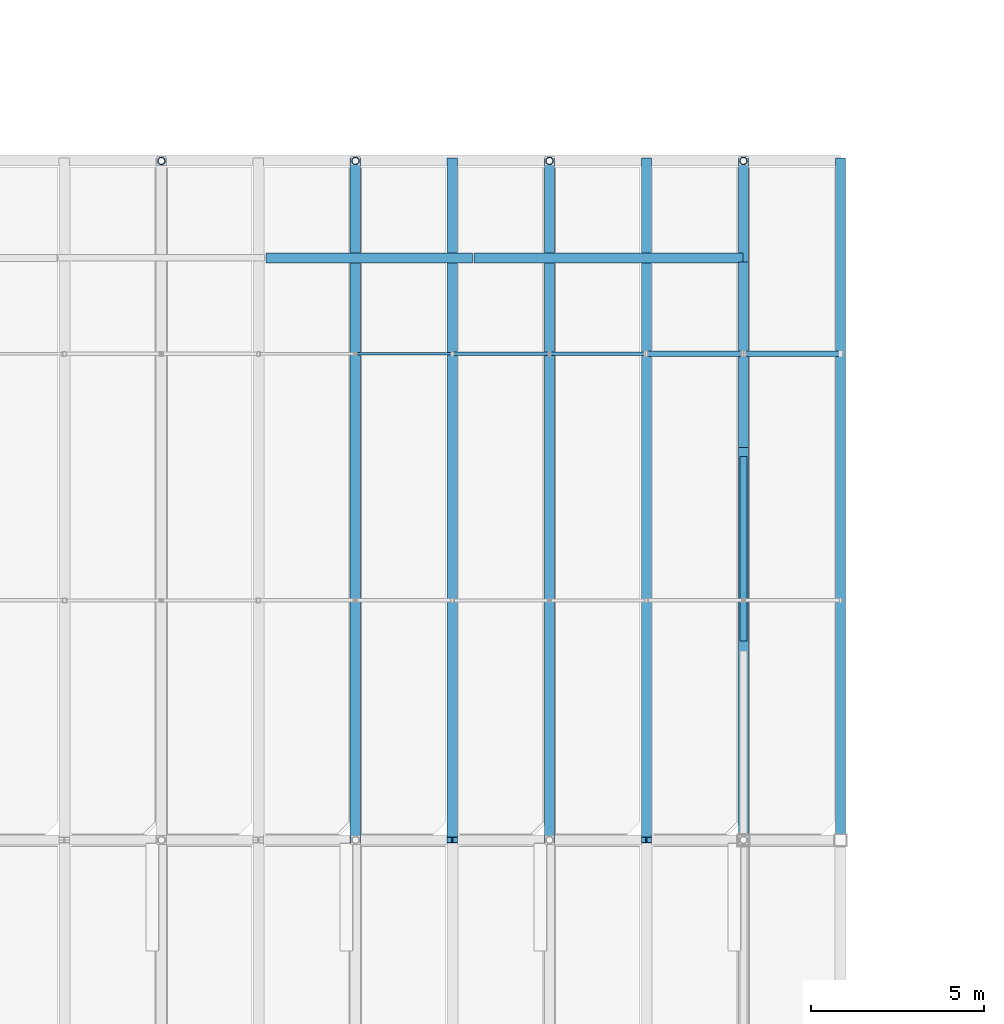
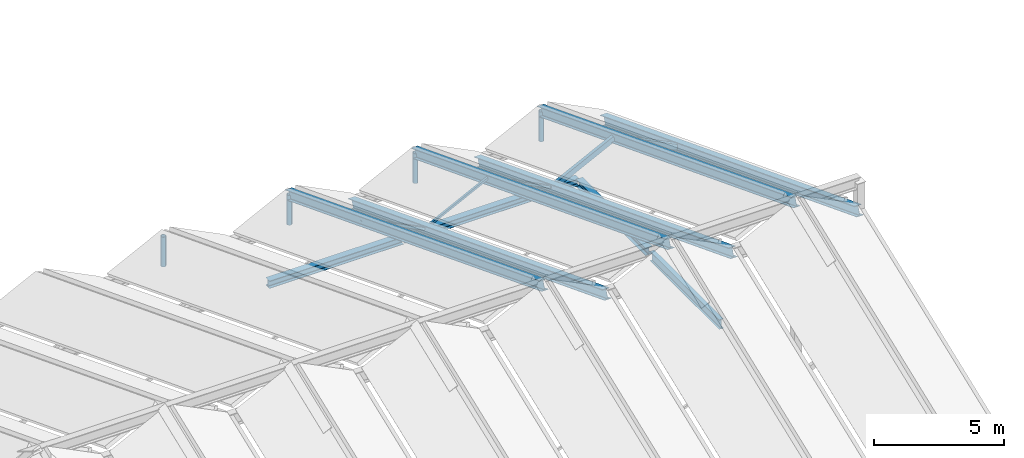
# One storey, part 23 of 49: 10 beams, 9 members.
"""IFC4 building model written with IfcOpenShell, lengths in metres."""

from ifc_helpers import new_model, si_unit, direction, frame, origin, origin_2d, place, context, subcontext, project, spatial, hollow_rectangle, hollow_circle, i_section, extrude, material, material_profile, profile_set, type_object, element, save


model = new_model("IFC4")

# Units and contexts
model_context = context("Model", 3, precision=1e-05, world=origin(), true_north=direction((0.0, 1.0)))
body_context = subcontext(model_context, "Body", "Model", "MODEL_VIEW")
ifc_project = project(units=[si_unit("LENGTHUNIT", "METRE"), si_unit("AREAUNIT", "SQUARE_METRE"), si_unit("VOLUMEUNIT", "CUBIC_METRE"), si_unit("PLANEANGLEUNIT", "RADIAN"), si_unit("MASSUNIT", "GRAM", prefix="KILO")], contexts=[model_context])

# Site, building, storey
site_placement = place(None, origin())
site = spatial("IfcSite", under=ifc_project, at=site_placement, CompositionType="ELEMENT")
building_placement = place(site_placement, origin())
building = spatial("IfcBuilding", under=site, at=building_placement, Name="Vinh Khe Railworks Police Headquarters", CompositionType="ELEMENT")
storey_placement = place(building_placement, frame((0.0, 0.0, 17.10009765625)))
storey = spatial("IfcBuildingStorey", under=building, at=storey_placement, Name="L04", CompositionType="ELEMENT", Elevation=17.10009765625)

# Members
ifc_material = material(Name="Steel S355JR", Category="steel")
ifc_material_profile_1 = material_profile(ifc_material, hollow_rectangle(XDim=0.080078125, YDim=0.1201171875, WallThickness=0.00634765625, at=origin_2d()), Name="RHS 120x80x6.3")
ifc_profile_set_1 = profile_set([ifc_material_profile_1], Name="Steel S355JR")
member_type_1 = type_object("IfcMemberType", Name="Roof Purlin RHS 120x80x6.3", PredefinedType="PURLIN", material=ifc_profile_set_1)
member_1_placement = place(storey_placement, frame((48.800048828125, 56.03271484375, 3.37744140625), z_axis=(0.894442788028, 0.0, -0.447182400083), x_axis=(0.0, 1.0, 0.0)))
element("IfcMember", 1, at=member_1_placement, inside=storey, type_object=member_type_1, Name="Folded Roof Purlin 040", PredefinedType="PURLIN", context=body_context, shape_type="SweptSolid", body=[
    extrude(hollow_rectangle(XDim=0.080078125, YDim=0.1201171875, WallThickness=0.00634765625, at=origin_2d()), origin(), (0.0, 0.0, 1.0), 3.130615234375),
])
ifc_material_profile_2 = material_profile(ifc_material, hollow_rectangle(XDim=0.14990234375, YDim=0.25, WallThickness=0.010009765625, at=origin_2d()), Name="RHS 250x150x10")
ifc_profile_set_2 = profile_set([ifc_material_profile_2], Name="Steel S355JR")
member_type_2 = type_object("IfcMemberType", Name="Roof Purlin RHS 250x150x10", PredefinedType="PURLIN", material=ifc_profile_set_2)
for number, where, z_axis, x_axis, name in (
    (2, (57.199951171875, 56.03271484375, 1.912353515625), (0.894411593428, 0.0, 0.447244789285), (0.0, 1.0, 0.0), "Folded Roof Purlin 052"),
    (3, (60.0, 56.03271484375, 3.3125), (0.894411593428, 0.0, -0.447244789285), (0.0, 1.0, 0.0), "Folded Roof Purlin 056"),
):
    element("IfcMember", number, at=place(storey_placement, frame(where, z_axis=z_axis, x_axis=x_axis)), inside=storey, type_object=member_type_2, Name=name, PredefinedType="PURLIN", context=body_context, shape_type="SweptSolid", body=[
        extrude(hollow_rectangle(XDim=0.14990234375, YDim=0.25, WallThickness=0.010009765625, at=origin_2d()), origin(), (0.0, 0.0, 1.0), 3.130615234375),
    ])
ifc_material_profile_3 = material_profile(ifc_material, hollow_rectangle(XDim=0.10009765625, YDim=0.10009765625, WallThickness=0.00634765625, at=origin_2d()), Name="SHS 100x100x6.3")
ifc_profile_set_3 = profile_set([ifc_material_profile_3], Name="Steel S355JR")
member_type_3 = type_object("IfcMemberType", Name="Roof Purlin SHS 100x100x6.3", PredefinedType="PURLIN", material=ifc_profile_set_3)
member_2_placement = place(storey_placement, frame((51.60009765625, 56.03271484375, 1.987548828125), z_axis=(0.894427191, 0.0, 0.4472135955), x_axis=(0.0, 1.0, 0.0)))
element("IfcMember", 4, at=member_2_placement, inside=storey, type_object=member_type_3, Name="Folded Roof Purlin 044", PredefinedType="PURLIN", context=body_context, shape_type="SweptSolid", body=[
    extrude(hollow_rectangle(XDim=0.10009765625, YDim=0.10009765625, WallThickness=0.00634765625, at=origin_2d()), origin(), (0.0, 0.0, 1.0), 3.13037109375),
])
member_3_placement = place(storey_placement, frame((54.39990234375, 56.03271484375, 3.387451171875), z_axis=(0.894442788028, 0.0, -0.447182400083), x_axis=(0.0, 1.0, 0.0)))
element("IfcMember", 5, at=member_3_placement, inside=storey, type_object=member_type_3, Name="Folded Roof Purlin 048", PredefinedType="PURLIN", context=body_context, shape_type="SweptSolid", body=[
    extrude(hollow_rectangle(XDim=0.10009765625, YDim=0.10009765625, WallThickness=0.00634765625, at=origin_2d()), origin(), (0.0, 0.0, 1.0), 3.130615234375),
])
ifc_material_profile_4 = material_profile(ifc_material, hollow_circle(Radius=0.109619140625, WallThickness=0.012451171875, at=origin_2d()), Name="CHS 219.1x12.5")
ifc_profile_set_4 = profile_set([ifc_material_profile_4], Name="Steel S355JR")
member_type_4 = type_object("IfcMemberType", Name="Roof Strut CHS 219.1x12.5", PredefinedType="STRUT", material=ifc_profile_set_4)
for number, where, z_axis, x_axis, name in (
    (6, (43.199951171875, 61.60009765625, -0.191162109375), (0.0, 0.0, 1.0), (1.0, 0.0, 0.0), "Folded Roof Strut 4N"),
    (7, (48.800048828125, 61.60009765625, -0.191162109375), (0.0, 0.0, 1.0), (1.0, 0.0, 0.0), "Folded Roof Strut 5N"),
    (8, (54.39990234375, 61.60009765625, -0.191162109375), (0.0, 0.0, 1.0), (1.0, 0.0, 0.0), "Folded Roof Strut 6N"),
    (9, (60.0, 61.60009765625, -0.191162109375), (0.0, 0.0, 1.0), (1.0, 0.0, 0.0), "Folded Roof Strut 7N"),
):
    element("IfcMember", number, at=place(storey_placement, frame(where, z_axis=z_axis, x_axis=x_axis)), inside=storey, type_object=member_type_4, Name=name, PredefinedType="STRUT", context=body_context, shape_type="SweptSolid", body=[
        extrude(hollow_circle(Radius=0.109619140625, WallThickness=0.012451171875, at=origin_2d()), origin(), (0.0, 0.0, 1.0), 1.39990234375),
    ])

# Beams
ifc_material_profile_5 = material_profile(ifc_material, i_section(OverallWidth=0.300048828125, OverallDepth=0.330078125, WebThickness=0.009521484375, FlangeThickness=0.0166015625, FilletRadius=0.027099609375, at=origin_2d()), Name="HEA 340")
ifc_profile_set_5 = profile_set([ifc_material_profile_5], Name="Steel S355JR")
beam_type_1 = type_object("IfcBeamType", Name="Steel Girder HEA 340", PredefinedType="BEAM", material=ifc_profile_set_5)
beam_1_placement = place(storey_placement, frame((52.219970703125, 58.800048828125, -0.364990234375), z_axis=(1.0, 0.0, 0.0), x_axis=(0.0, 1.0, 0.0)))
element("IfcBeam", 10, at=beam_1_placement, inside=storey, type_object=beam_type_1, Name="Girder BM-L04-EW-SB-16-1316", PredefinedType="BEAM", context=body_context, shape_type="SweptSolid", body=[
    extrude(i_section(OverallWidth=0.300048828125, OverallDepth=0.330078125, WebThickness=0.009521484375, FlangeThickness=0.0166015625, FilletRadius=0.027099609375, at=origin_2d()), origin(), (0.0, 0.0, 1.0), 7.760009765625),
])
ifc_material_profile_6 = material_profile(ifc_material, i_section(OverallWidth=0.300048828125, OverallDepth=0.35009765625, WebThickness=0.010009765625, FlangeThickness=0.017578125, FilletRadius=0.027099609375, at=origin_2d()), Name="HEA 360")
ifc_profile_set_6 = profile_set([ifc_material_profile_6], Name="Steel S355JR")
beam_type_2 = type_object("IfcBeamType", Name="Steel Girder HEA 360", PredefinedType="BEAM", material=ifc_profile_set_6)
beam_2_placement = place(storey_placement, frame((46.219970703125, 58.800048828125, -0.375), z_axis=(1.0, 0.0, 0.0), x_axis=(0.0, 1.0, 0.0)))
element("IfcBeam", 11, at=beam_2_placement, inside=storey, type_object=beam_type_2, Name="Girder BM-L04-EW-SB-15-1315", PredefinedType="BEAM", context=body_context, shape_type="SweptSolid", body=[
    extrude(i_section(OverallWidth=0.300048828125, OverallDepth=0.35009765625, WebThickness=0.010009765625, FlangeThickness=0.017578125, FilletRadius=0.027099609375, at=origin_2d()), origin(), (0.0, 0.0, 1.0), 5.9599609375),
])
beam_3_placement = place(storey_placement, frame((60.0, 53.324951171875, -0.375), z_axis=(0.0, 1.0, 0.0), x_axis=(-1.0, 0.0, 0.0)))
element("IfcBeam", 12, at=beam_3_placement, inside=storey, type_object=beam_type_2, Name="Girder BM-L04-NS-SB-15-1447", PredefinedType="BEAM", context=body_context, shape_type="SweptSolid", body=[
    extrude(i_section(OverallWidth=0.300048828125, OverallDepth=0.35009765625, WebThickness=0.010009765625, FlangeThickness=0.017578125, FilletRadius=0.027099609375, at=origin_2d()), origin(), (0.0, 0.0, 1.0), 5.360107421875),
])
ifc_material_profile_7 = material_profile(ifc_material, i_section(OverallWidth=0.300048828125, OverallDepth=0.43994140625, WebThickness=0.011474609375, FlangeThickness=0.02099609375, FilletRadius=0.027099609375, at=origin_2d()), Name="HEA 450")
ifc_profile_set_7 = profile_set([ifc_material_profile_7], Name="Steel S355JR")
beam_type_3 = type_object("IfcBeamType", Name="Steel Girder HEA 450", PredefinedType="BEAM", material=ifc_profile_set_7)
for number, where, z_axis, x_axis, name in (
    (13, (48.800048828125, 61.60009765625, 1.208740234375), (0.0, -0.93236035026, 0.361530326893), (1.0, 0.0, 0.0), "Folded Roof Ridge Girder 020 (N)"),
    (14, (54.39990234375, 61.60009765625, 1.208740234375), (0.0, -0.93236035026, 0.361530326893), (1.0, 0.0, 0.0), "Folded Roof Ridge Girder 024 (N)"),
    (15, (60.0, 61.60009765625, 1.208740234375), (0.0, -0.93236035026, 0.361530326893), (1.0, 0.0, 0.0), "Folded Roof Ridge Girder 028 (N)"),
):
    element("IfcBeam", number, at=place(storey_placement, frame(where, z_axis=z_axis, x_axis=x_axis)), inside=storey, type_object=beam_type_3, Name=name, PredefinedType="BEAM", context=body_context, shape_type="SweptSolid", body=[
        extrude(i_section(OverallWidth=0.300048828125, OverallDepth=0.43994140625, WebThickness=0.011474609375, FlangeThickness=0.02099609375, FilletRadius=0.027099609375, at=origin_2d()), origin(), (0.0, 0.0, 1.0), 21.02197265625),
    ])
ifc_material_profile_8 = material_profile(ifc_material, i_section(OverallWidth=0.300048828125, OverallDepth=0.449951171875, WebThickness=0.013916015625, FlangeThickness=0.02587890625, FilletRadius=0.027099609375, at=origin_2d()), Name="HEB 450")
ifc_profile_set_8 = profile_set([ifc_material_profile_8], Name="Steel S355JR")
beam_type_4 = type_object("IfcBeamType", Name="Steel Girder HEB 450", PredefinedType="BEAM", material=ifc_profile_set_8)
for number, where, z_axis, x_axis, name in (
    (16, (51.60009765625, 61.60009765625, -0.191162109375), (0.0, -0.932364264883, 0.361520231204), (1.0, 0.0, 0.0), "Folded Roof Valley Girder 022 (N)"),
    (17, (57.199951171875, 61.60009765625, -0.191162109375), (0.0, -0.932364264883, 0.361520231204), (1.0, 0.0, 0.0), "Folded Roof Valley Girder 026 (N)"),
    (18, (62.800048828125, 61.60009765625, -0.191162109375), (0.0, -0.932364264883, 0.361520231204), (1.0, 0.0, 0.0), "Folded Roof Valley Girder 030 (N)"),
):
    element("IfcBeam", number, at=place(storey_placement, frame(where, z_axis=z_axis, x_axis=x_axis)), inside=storey, type_object=beam_type_4, Name=name, PredefinedType="BEAM", context=body_context, shape_type="SweptSolid", body=[
        extrude(i_section(OverallWidth=0.300048828125, OverallDepth=0.449951171875, WebThickness=0.013916015625, FlangeThickness=0.02587890625, FilletRadius=0.027099609375, at=origin_2d()), origin(), (0.0, 0.0, 1.0), 21.02197265625),
    ])
ifc_material_profile_9 = material_profile(ifc_material, i_section(OverallWidth=0.18994140625, OverallDepth=0.449951171875, WebThickness=0.009521484375, FlangeThickness=0.0146484375, FilletRadius=0.02099609375, at=origin_2d()), Name="IPE 450")
ifc_profile_set_9 = profile_set([ifc_material_profile_9], Name="Steel S355JR")
beam_type_5 = type_object("IfcBeamType", Name="Steel Girder IPE 450", PredefinedType="BEAM", material=ifc_profile_set_9)
beam_4_placement = place(storey_placement, frame((60.0, 47.7451171875, -0.425048828125), z_axis=(0.0, 1.0, 0.0), x_axis=(-1.0, 0.0, 0.0)))
element("IfcBeam", 19, at=beam_4_placement, inside=storey, type_object=beam_type_5, Name="Girder BM-L04-NS-SB-20-1446", PredefinedType="BEAM", context=body_context, shape_type="SweptSolid", body=[
    extrude(i_section(OverallWidth=0.18994140625, OverallDepth=0.449951171875, WebThickness=0.009521484375, FlangeThickness=0.0146484375, FilletRadius=0.02099609375, at=origin_2d()), origin(), (0.0, 0.0, 1.0), 5.329833984375),
])

save(model, "model.ifc")
